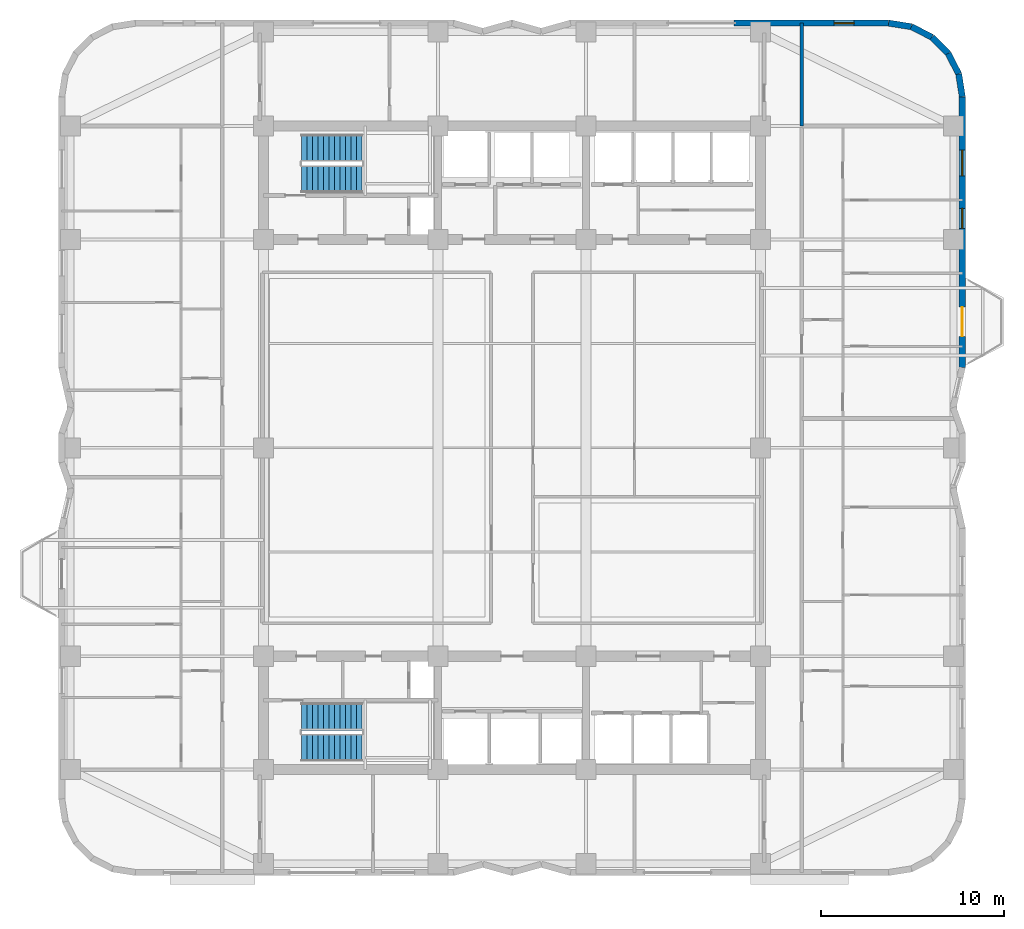
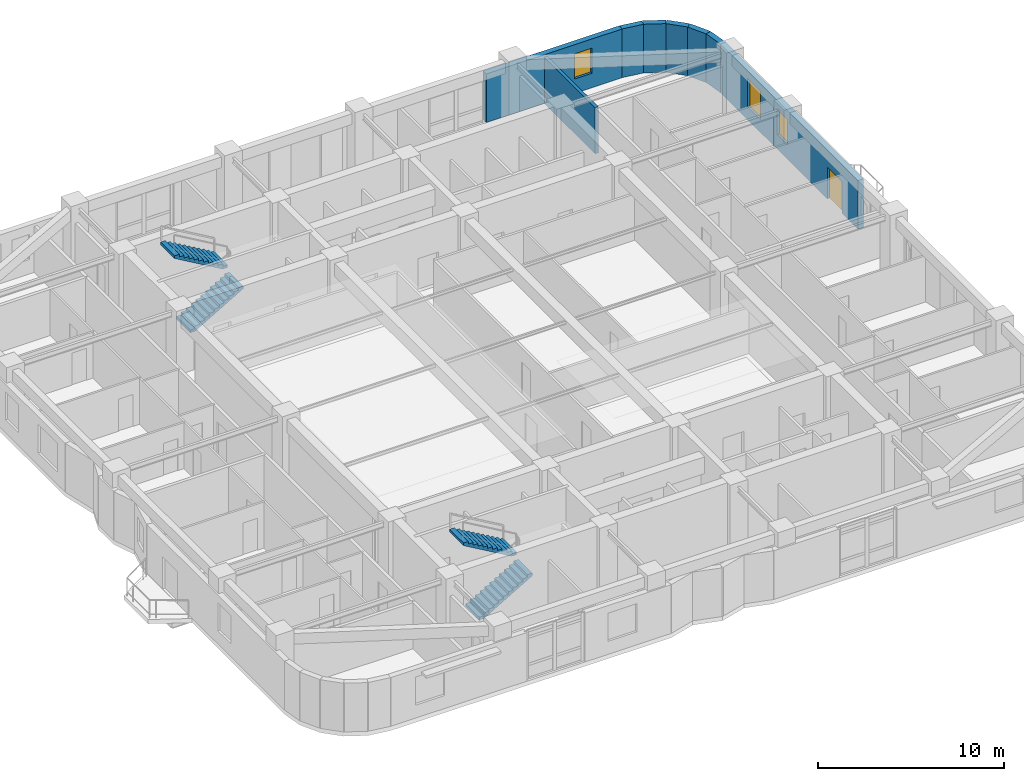
# One storey, part 12 of 15: 8 walls, 4 stair flights, 3 windows, 1 door, 4 openings, 2 elements without a shape of their own.
"""IFC4 building model written with IfcOpenShell, lengths in metres."""

from ifc_helpers import new_model, si_unit, direction, frame, frame_2d, origin, place, context, subcontext, project, spatial, polyline, rectangle, outline, extrude, material, layer, layer_set, type_object, element, fill, aggregate, save


model = new_model("IFC4")

# Units and contexts
model_context = context("Model", 3, precision=1e-05, world=origin(), true_north=direction((0.0, 1.0)))
body_context = subcontext(model_context, "Body", "Model", "MODEL_VIEW")
ifc_project = project(units=[si_unit("LENGTHUNIT", "METRE"), si_unit("AREAUNIT", "SQUARE_METRE"), si_unit("VOLUMEUNIT", "CUBIC_METRE"), si_unit("PLANEANGLEUNIT", "RADIAN"), si_unit("MASSUNIT", "GRAM", prefix="KILO")], contexts=[model_context])

# Site, building, storey
site_placement = place(None, origin())
site = spatial("IfcSite", under=ifc_project, at=site_placement, CompositionType="ELEMENT")
building_placement = place(site_placement, origin())
building = spatial("IfcBuilding", under=site, at=building_placement, Name="Svetorya Sky Lyceum", CompositionType="ELEMENT")
storey_placement = place(building_placement, frame((0.0, 0.0, 84.10009765625)))
storey = spatial("IfcBuildingStorey", under=building, at=storey_placement, Name="L20", CompositionType="ELEMENT", Elevation=84.10009765625)

# Wall, openings, door, windows
ifc_material_1 = material(Name="Putilovo limestone rainscreen on autoclaved cellular masonry", Category="masonry")
ifc_layer_1 = layer(ifc_material_1, 0.340087890625)
ifc_layer_set_1 = layer_set([ifc_layer_1], Name="Putilovo limestone rainscreen on autoclaved cellular masonry")
wall_type_1 = type_object("IfcWallType", Name="WL-EXT-340", PredefinedType="SOLIDWALL", material=ifc_layer_set_1)
wall_1_placement = place(storey_placement, frame((63.830078125, 32.60009765625, 0.0), z_axis=(0.0, 0.0, 1.0), x_axis=(0.0, 1.0, 0.0)))
wall_1 = element("IfcWall", 1, at=wall_1_placement, inside=storey, type_object=wall_type_1, Name="L20 Limestone Exterior Wall 23M", PredefinedType="SOLIDWALL", context=body_context, shape_type="SweptSolid", body=[
    extrude(rectangle(XDim=14.7998046875, YDim=0.340087890625, at=frame_2d((7.39990234375, 0.0))), origin(), (0.0, 0.0, 1.0), 3.199951171875),
])
opening_1_placement = place(wall_1_placement, frame((1.699951171875, 0.0, 0.0)))
opening_1 = element("IfcOpeningElement", 2, at=opening_1_placement, cuts=wall_1, Name="Opening D-BL1", PredefinedType="OPENING", context=body_context, shape_type="SweptSolid", body=[
    extrude(rectangle(XDim=1.60009765625, YDim=2.10009765625, at=frame_2d((0.800048828125, 1.050048828125))), frame((0.0, 0.179931640625, 0.0), z_axis=(0.0, -1.0, 0.0), x_axis=(1.0, 0.0, 0.0)), (0.0, 0.0, 1.0), 0.360107421875),
])
opening_2_placement = place(wall_1_placement, frame((7.60009765625, 0.0, 0.949951171875)))
opening_2 = element("IfcOpeningElement", 3, at=opening_2_placement, cuts=wall_1, Name="Opening W-R3", PredefinedType="OPENING", context=body_context, shape_type="SweptSolid", body=[
    extrude(rectangle(XDim=1.10009765625, YDim=1.64990234375, at=frame_2d((0.550048828125, 0.824951171875))), frame((0.0, 0.179931640625, 0.0), z_axis=(0.0, -1.0, 0.0), x_axis=(1.0, 0.0, 0.0)), (0.0, 0.0, 1.0), 0.360107421875),
])
opening_3_placement = place(wall_1_placement, frame((10.47998046875, 0.0, 0.85009765625)))
opening_3 = element("IfcOpeningElement", 4, at=opening_3_placement, cuts=wall_1, Name="Opening W-R2", PredefinedType="OPENING", context=body_context, shape_type="SweptSolid", body=[
    extrude(rectangle(XDim=1.39990234375, YDim=1.85009765625, at=frame_2d((0.699951171875, 0.925048828125))), frame((0.0, 0.179931640625, 0.0), z_axis=(0.0, -1.0, 0.0), x_axis=(1.0, 0.0, 0.0)), (0.0, 0.0, 1.0), 0.360107421875),
])
ifc_material_2 = material(Name="Insulated glazed aluminium balcony door", Category="aluminium")
door_type = type_object("IfcDoorType", Name="DR-BAL-1600", OperationType="DOUBLE_DOOR_SINGLE_SWING", PredefinedType="DOOR", material=ifc_material_2)
door_placement = place(opening_1_placement, origin())
door = element("IfcDoor", 5, at=door_placement, inside=storey, type_object=door_type, Name="L20 Balcony BAL-E1 Door", OperationType="DOUBLE_DOOR_SINGLE_SWING", OverallHeight=2.10009765625, OverallWidth=1.60009765625, PredefinedType="DOOR", context=body_context, shape_type="SweptSolid", body=[
    extrude(rectangle(XDim=1.60009765625, YDim=2.10009765625, at=frame_2d((0.800048828125, 1.050048828125))), frame((0.0, 0.02490234375, 0.0), z_axis=(0.0, -1.0, 0.0), x_axis=(1.0, 0.0, 0.0)), (0.0, 0.0, 1.0), 0.050048828125),
])
fill(opening_1, door)
ifc_material_3 = material(Name="Thermally broken aluminium frame with triple low-E glazing", Category="aluminium")
window_type_1 = type_object("IfcWindowType", Name="WN-RES-110", PartitioningType="SINGLE_PANEL", PredefinedType="WINDOW", material=ifc_material_3)
window_1_placement = place(opening_2_placement, origin())
window_1 = element("IfcWindow", 6, at=window_1_placement, inside=storey, type_object=window_type_1, Name="L20 Facade Window W-R3.23M.1", OverallHeight=1.64990234375, OverallWidth=1.10009765625, PartitioningType="SINGLE_PANEL", PredefinedType="WINDOW", context=body_context, shape_type="SweptSolid", body=[
    extrude(rectangle(XDim=1.10009765625, YDim=1.64990234375, at=frame_2d((0.550048828125, 0.824951171875))), frame((0.0, 0.030029296875, 0.0), z_axis=(0.0, -1.0, 0.0), x_axis=(1.0, 0.0, 0.0)), (0.0, 0.0, 1.0), 0.06005859375),
])
fill(opening_2, window_1)
window_type_2 = type_object("IfcWindowType", Name="WN-RES-140", PartitioningType="SINGLE_PANEL", PredefinedType="WINDOW", material=ifc_material_3)
window_2_placement = place(opening_3_placement, origin())
window_2 = element("IfcWindow", 7, at=window_2_placement, inside=storey, type_object=window_type_2, Name="L20 Facade Window W-R2.23M.2", OverallHeight=1.85009765625, OverallWidth=1.39990234375, PartitioningType="SINGLE_PANEL", PredefinedType="WINDOW", context=body_context, shape_type="SweptSolid", body=[
    extrude(rectangle(XDim=1.39990234375, YDim=1.85009765625, at=frame_2d((0.699951171875, 0.925048828125))), frame((0.0, 0.030029296875, 0.0), z_axis=(0.0, -1.0, 0.0), x_axis=(1.0, 0.0, 0.0)), (0.0, 0.0, 1.0), 0.06005859375),
])
fill(opening_3, window_2)

# Walls
for number, where, z_axis, x_axis, name in (
    (8, (63.830078125, 47.39990234375, 0.0), (0.0, 0.0, 1.0), (-0.15644975923, 0.987685918112, 0.0), "L20 Limestone Exterior Wall 24M"),
    (9, (63.6328125, 48.645263671875, 0.0), (0.0, 0.0, 1.0), (-0.454015689056, 0.890993689142, 0.0), "L20 Limestone Exterior Wall 25M"),
    (10, (63.060302734375, 49.768798828125, 0.0), (0.0, 0.0, 1.0), (-0.707106781187, 0.707106781187, 0.0), "L20 Limestone Exterior Wall 26M"),
):
    element("IfcWall", number, at=place(storey_placement, frame(where, z_axis=z_axis, x_axis=x_axis)), inside=storey, type_object=wall_type_1, Name=name, PredefinedType="SOLIDWALL", context=body_context, shape_type="SweptSolid", body=[
        extrude(rectangle(XDim=1.260986328125, YDim=0.340087890625, at=frame_2d((0.63037109375, 0.0))), origin(), (0.0, 0.0, 1.0), 3.199951171875),
    ])
for number, where, z_axis, x_axis, name in (
    (11, (62.168701171875, 50.660400390625, 0.0), (0.0, 0.0, 1.0), (-0.890953769915, 0.454094020963, 0.0), "L20 Limestone Exterior Wall 27M"),
    (12, (61.04541015625, 51.23291015625, 0.0), (0.0, 0.0, 1.0), (-0.98771582066, 0.156260864002, 0.0), "L20 Limestone Exterior Wall 28M"),
):
    element("IfcWall", number, at=place(storey_placement, frame(where, z_axis=z_axis, x_axis=x_axis)), inside=storey, type_object=wall_type_1, Name=name, PredefinedType="SOLIDWALL", context=body_context, shape_type="SweptSolid", body=[
        extrude(rectangle(XDim=1.2607421875, YDim=0.340087890625, at=frame_2d((0.63037109375, 0.0))), origin(), (0.0, 0.0, 1.0), 3.199951171875),
    ])

# Wall, opening, window
wall_2_placement = place(storey_placement, frame((59.800048828125, 51.429931640625, 0.0), z_axis=(0.0, 0.0, 1.0), x_axis=(-1.0, 0.0, 0.0)))
wall_2 = element("IfcWall", 13, at=wall_2_placement, inside=storey, type_object=wall_type_1, Name="L20 Limestone Exterior Wall 29A", PredefinedType="SOLIDWALL", context=body_context, shape_type="SweptSolid", body=[
    extrude(rectangle(XDim=8.449951171875, YDim=0.340087890625, at=frame_2d((4.22509765625, 0.0))), origin(), (0.0, 0.0, 1.0), 3.199951171875),
])
opening_4_placement = place(wall_2_placement, frame((1.887451171875, 0.0, 0.949951171875)))
opening_4 = element("IfcOpeningElement", 14, at=opening_4_placement, cuts=wall_2, Name="Opening W-R3", PredefinedType="OPENING", context=body_context, shape_type="SweptSolid", body=[
    extrude(rectangle(XDim=1.10009765625, YDim=1.64990234375, at=frame_2d((0.550048828125, 0.824951171875))), frame((0.0, 0.179931640625, 0.0), z_axis=(0.0, -1.0, 0.0), x_axis=(1.0, 0.0, 0.0)), (0.0, 0.0, 1.0), 0.360107421875),
])
window_3_placement = place(opening_4_placement, origin())
window_3 = element("IfcWindow", 15, at=window_3_placement, inside=storey, type_object=window_type_1, Name="L20 Facade Window W-R3.29A.1", OverallHeight=1.64990234375, OverallWidth=1.10009765625, PartitioningType="SINGLE_PANEL", PredefinedType="WINDOW", context=body_context, shape_type="SweptSolid", body=[
    extrude(rectangle(XDim=1.10009765625, YDim=1.64990234375, at=frame_2d((0.550048828125, 0.824951171875))), frame((0.0, 0.030029296875, 0.0), z_axis=(0.0, -1.0, 0.0), x_axis=(1.0, 0.0, 0.0)), (0.0, 0.0, 1.0), 0.06005859375),
])
fill(opening_4, window_3)

# Wall
ifc_material_4 = material(Name="Autoclaved cellular masonry blockwork with gypsum plaster", Category="masonry")
ifc_layer_2 = layer(ifc_material_4, 0.199951171875)
ifc_layer_set_2 = layer_set([ifc_layer_2], Name="Autoclaved cellular masonry blockwork with gypsum plaster")
wall_type_2 = type_object("IfcWallType", Name="WL-PART-200", PredefinedType="PARTITIONING", material=ifc_layer_set_2)
wall_3_placement = place(storey_placement, frame((55.050048828125, 45.800048828125, 0.0), z_axis=(0.0, 0.0, 1.0), x_axis=(0.0, 1.0, 0.0)))
element("IfcWall", 16, at=wall_3_placement, inside=storey, type_object=wall_type_2, Name="L20 Interior Partition EC-NE-END", PredefinedType="PARTITIONING", context=body_context, shape_type="SweptSolid", body=[
    extrude(rectangle(XDim=5.6298828125, YDim=0.199951171875, at=frame_2d((2.81494140625, 0.0))), origin(), (0.0, 0.0, 1.0), 3.02978515625),
])

# Stair, stair flights
ifc_material_5 = material(Name="Concrete C40/50", Category="concrete")
stair_type_1 = type_object("IfcStairType", Name="STR-ST-N", PredefinedType="HALF_TURN_STAIR", material=ifc_material_5)
stair_1_placement = place(storey_placement, origin())
stair_1 = element("IfcStair", 17, at=stair_1_placement, inside=storey, type_object=stair_type_1, Name="L20 North Core Smoke-Free Exit Stair N3", PredefinedType="HALF_TURN_STAIR")
stair_flight_type_1 = type_object("IfcStairFlightType", Name="SFL-ST-N", PredefinedType="STRAIGHT", material=ifc_material_5)
stair_flight_1_placement = place(storey_placement, frame((27.699951171875, 42.89990234375, 0.0), z_axis=(0.0, 0.0, 1.0), x_axis=(1.0, 0.0, 0.0)))
stair_flight_1 = element("IfcStairFlight", 18, at=stair_flight_1_placement, type_object=stair_flight_type_1, Name="ST-N flight 1", NumberOfRisers=12, NumberOfTreads=11, PredefinedType="STRAIGHT", RiserHeight=0.175, TreadLength=0.3, context=body_context, shape_type="SweptSolid", body=[
    extrude(outline(polyline([(0.0, 0.0), (0.0, 0.175048828125), (0.300048828125, 0.175048828125), (0.300048828125, 0.35009765625), (0.60009765625, 0.35009765625), (0.60009765625, 0.52490234375), (0.89990234375, 0.52490234375), (0.89990234375, 0.699951171875), (1.199951171875, 0.699951171875), (1.199951171875, 0.875), (1.5, 0.875), (1.5, 1.050048828125), (1.800048828125, 1.050048828125), (1.800048828125, 1.22509765625), (2.10009765625, 1.22509765625), (2.10009765625, 1.39990234375), (2.39990234375, 1.39990234375), (2.39990234375, 1.574951171875), (2.699951171875, 1.574951171875), (2.699951171875, 1.75), (3.0, 1.75), (3.0, 1.925048828125), (3.300048828125, 1.925048828125), (3.300048828125, 2.10009765625), (3.300048828125, 1.75146484375), (0.297607421875, 0.0), (0.0, 0.0)])), frame((0.0, 0.75, 0.0), z_axis=(0.0, -1.0, 0.0), x_axis=(1.0, 0.0, 0.0)), (0.0, 0.0, 1.0), 1.5),
])
stair_flight_2_placement = place(storey_placement, frame((31.0, 44.60009765625, 2.099853515625), z_axis=(0.0, 0.0, 1.0), x_axis=(-1.0, 0.0, 0.0)))
stair_flight_2 = element("IfcStairFlight", 19, at=stair_flight_2_placement, type_object=stair_flight_type_1, Name="ST-N flight 2", NumberOfRisers=12, NumberOfTreads=11, PredefinedType="STRAIGHT", RiserHeight=0.175, TreadLength=0.3, context=body_context, shape_type="SweptSolid", body=[
    extrude(outline(polyline([(0.0, 0.0), (0.0, 0.175048828125), (0.300048828125, 0.175048828125), (0.300048828125, 0.35009765625), (0.60009765625, 0.35009765625), (0.60009765625, 0.52490234375), (0.89990234375, 0.52490234375), (0.89990234375, 0.699951171875), (1.199951171875, 0.699951171875), (1.199951171875, 0.875), (1.5, 0.875), (1.5, 1.050048828125), (1.800048828125, 1.050048828125), (1.800048828125, 1.22509765625), (2.10009765625, 1.22509765625), (2.10009765625, 1.39990234375), (2.39990234375, 1.39990234375), (2.39990234375, 1.574951171875), (2.699951171875, 1.574951171875), (2.699951171875, 1.75), (3.0, 1.75), (3.0, 1.925048828125), (3.300048828125, 1.925048828125), (3.300048828125, 2.10009765625), (3.300048828125, 1.75146484375), (0.297607421875, 0.0), (0.0, 0.0)])), frame((0.0, 0.75, 0.0), z_axis=(0.0, -1.0, 0.0), x_axis=(1.0, 0.0, 0.0)), (0.0, 0.0, 1.0), 1.5),
])
aggregate(stair_1, [stair_flight_1, stair_flight_2])

stair_type_2 = type_object("IfcStairType", Name="STR-ST-S", PredefinedType="HALF_TURN_STAIR", material=ifc_material_5)
stair_2_placement = place(storey_placement, origin())
stair_2 = element("IfcStair", 20, at=stair_2_placement, inside=storey, type_object=stair_type_2, Name="L20 South Core Smoke-Free Exit Stair N2", PredefinedType="HALF_TURN_STAIR")
stair_flight_type_2 = type_object("IfcStairFlightType", Name="SFL-ST-S", PredefinedType="STRAIGHT", material=ifc_material_5)
stair_flight_3_placement = place(storey_placement, frame((27.699951171875, 11.800048828125, 0.0), z_axis=(0.0, 0.0, 1.0), x_axis=(1.0, 0.0, 0.0)))
stair_flight_3 = element("IfcStairFlight", 21, at=stair_flight_3_placement, type_object=stair_flight_type_2, Name="ST-S flight 1", NumberOfRisers=12, NumberOfTreads=11, PredefinedType="STRAIGHT", RiserHeight=0.175, TreadLength=0.3, context=body_context, shape_type="SweptSolid", body=[
    extrude(outline(polyline([(0.0, 0.0), (0.0, 0.175048828125), (0.300048828125, 0.175048828125), (0.300048828125, 0.35009765625), (0.60009765625, 0.35009765625), (0.60009765625, 0.52490234375), (0.89990234375, 0.52490234375), (0.89990234375, 0.699951171875), (1.199951171875, 0.699951171875), (1.199951171875, 0.875), (1.5, 0.875), (1.5, 1.050048828125), (1.800048828125, 1.050048828125), (1.800048828125, 1.22509765625), (2.10009765625, 1.22509765625), (2.10009765625, 1.39990234375), (2.39990234375, 1.39990234375), (2.39990234375, 1.574951171875), (2.699951171875, 1.574951171875), (2.699951171875, 1.75), (3.0, 1.75), (3.0, 1.925048828125), (3.300048828125, 1.925048828125), (3.300048828125, 2.10009765625), (3.300048828125, 1.75146484375), (0.297607421875, 0.0), (0.0, 0.0)])), frame((0.0, 0.75, 0.0), z_axis=(0.0, -1.0, 0.0), x_axis=(1.0, 0.0, 0.0)), (0.0, 0.0, 1.0), 1.5),
])
stair_flight_4_placement = place(storey_placement, frame((31.0, 13.5, 2.099853515625), z_axis=(0.0, 0.0, 1.0), x_axis=(-1.0, 0.0, 0.0)))
stair_flight_4 = element("IfcStairFlight", 22, at=stair_flight_4_placement, type_object=stair_flight_type_2, Name="ST-S flight 2", NumberOfRisers=12, NumberOfTreads=11, PredefinedType="STRAIGHT", RiserHeight=0.175, TreadLength=0.3, context=body_context, shape_type="SweptSolid", body=[
    extrude(outline(polyline([(0.0, 0.0), (0.0, 0.175048828125), (0.300048828125, 0.175048828125), (0.300048828125, 0.35009765625), (0.60009765625, 0.35009765625), (0.60009765625, 0.52490234375), (0.89990234375, 0.52490234375), (0.89990234375, 0.699951171875), (1.199951171875, 0.699951171875), (1.199951171875, 0.875), (1.5, 0.875), (1.5, 1.050048828125), (1.800048828125, 1.050048828125), (1.800048828125, 1.22509765625), (2.10009765625, 1.22509765625), (2.10009765625, 1.39990234375), (2.39990234375, 1.39990234375), (2.39990234375, 1.574951171875), (2.699951171875, 1.574951171875), (2.699951171875, 1.75), (3.0, 1.75), (3.0, 1.925048828125), (3.300048828125, 1.925048828125), (3.300048828125, 2.10009765625), (3.300048828125, 1.75146484375), (0.297607421875, 0.0), (0.0, 0.0)])), frame((0.0, 0.75, 0.0), z_axis=(0.0, -1.0, 0.0), x_axis=(1.0, 0.0, 0.0)), (0.0, 0.0, 1.0), 1.5),
])
aggregate(stair_2, [stair_flight_3, stair_flight_4])

save(model, "model.ifc")
